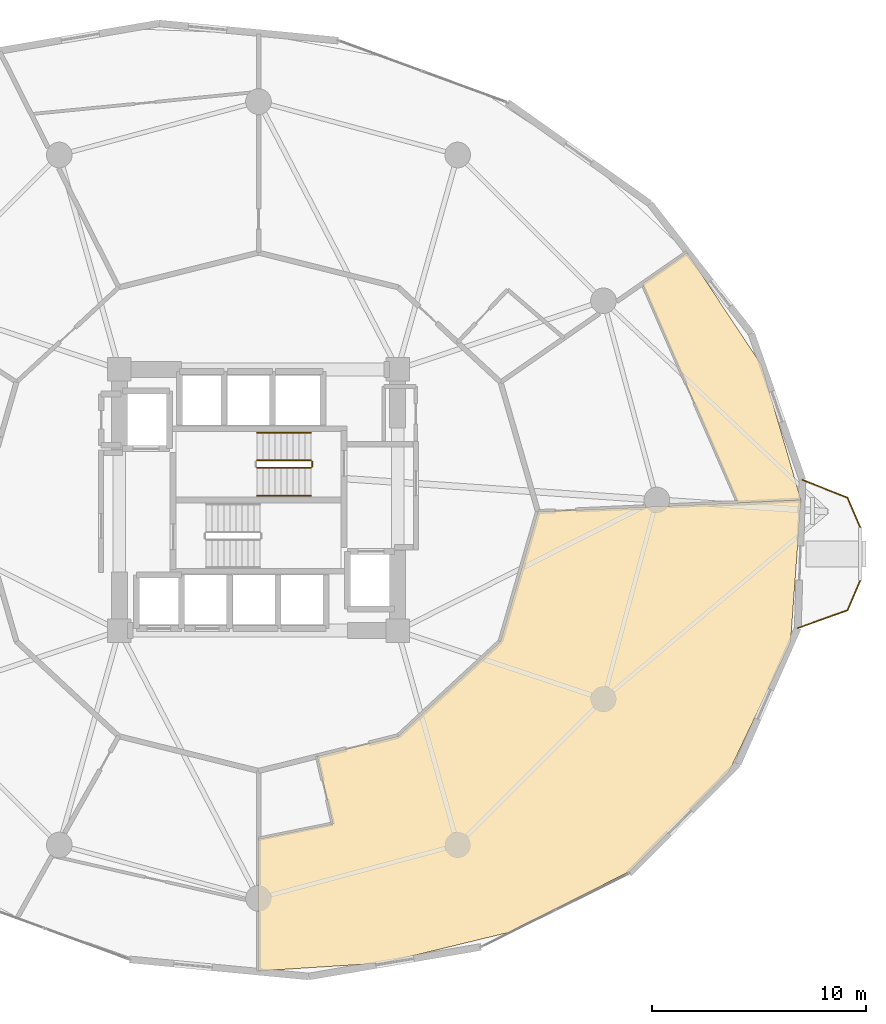
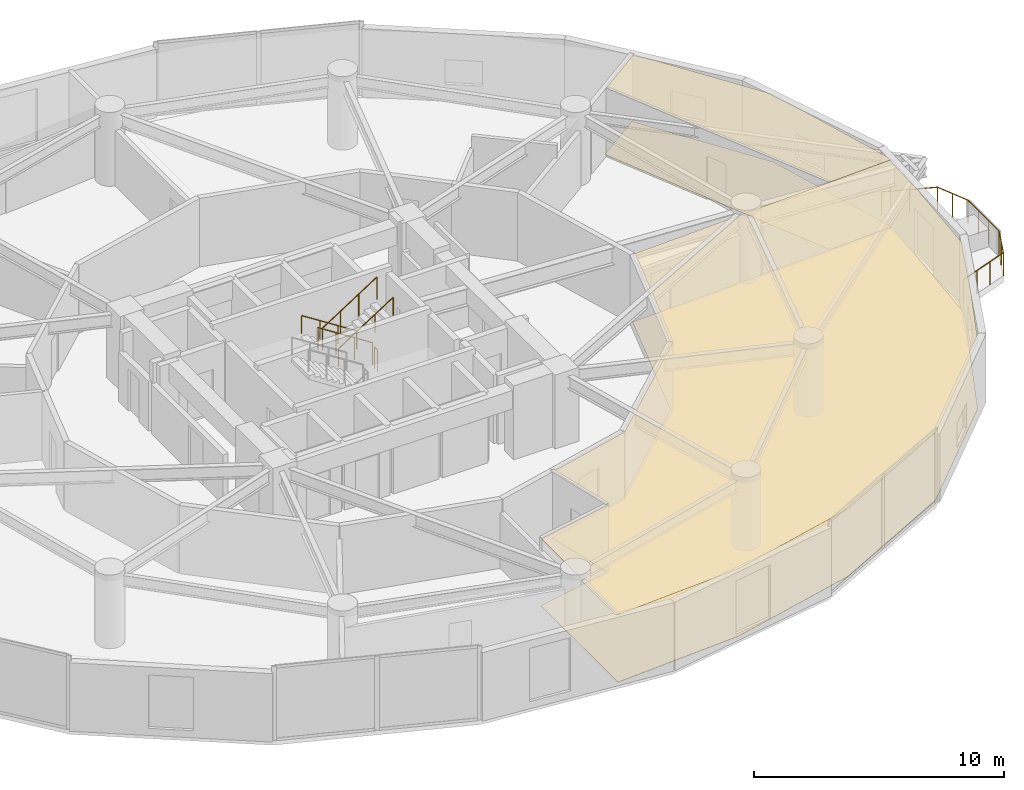
# One storey, part 21 of 22: 6 railings, 4 coverings.
"""IFC4 building model written with IfcOpenShell, lengths in metres."""

from ifc_helpers import new_model, si_unit, direction, frame, origin, origin_2d, place, context, subcontext, project, spatial, polyline, circle, outline, extrude, material, layer, layer_set, type_object, element, save


model = new_model("IFC4")

# Units and contexts
model_context = context("Model", 3, precision=1e-05, world=origin(), true_north=direction((0.0, 1.0)))
body_context = subcontext(model_context, "Body", "Model", "MODEL_VIEW")
ifc_project = project(units=[si_unit("LENGTHUNIT", "METRE"), si_unit("AREAUNIT", "SQUARE_METRE"), si_unit("VOLUMEUNIT", "CUBIC_METRE"), si_unit("PLANEANGLEUNIT", "RADIAN"), si_unit("MASSUNIT", "GRAM", prefix="KILO")], contexts=[model_context])

# Site, building, storey
site_placement = place(None, origin())
site = spatial("IfcSite", under=ifc_project, at=site_placement, CompositionType="ELEMENT")
building_placement = place(site_placement, origin())
building = spatial("IfcBuilding", under=site, at=building_placement, Name="Solvirekh Grand Hotel", CompositionType="ELEMENT")
storey_placement = place(building_placement, frame((0.0, 0.0, 53.60009765625)))
storey = spatial("IfcBuildingStorey", under=building, at=storey_placement, Name="L12", CompositionType="ELEMENT", Elevation=53.60009765625)

# Coverings
ifc_material_1 = material(Name="Acoustic Mineral Ceiling Tile")
ifc_layer_1 = layer(ifc_material_1, 0.02490234375)
ifc_layer_set_1 = layer_set([ifc_layer_1], Name="Acoustic Mineral Ceiling Tile")
covering_type_1 = type_object("IfcCoveringType", Name="Cov_Ceiling_Acoustic", PredefinedType="CEILING", material=ifc_layer_set_1)
covering_1_placement = place(storey_placement, frame((0.0, 0.0, 3.289794921875)))
element("IfcCovering", 1, at=covering_1_placement, inside=storey, type_object=covering_type_1, Name="L12 Presidential Suite 1402 Living Room acoustic ceiling", PredefinedType="CEILING", context=body_context, shape_type="SweptSolid", body=[
    extrude(outline(polyline([(3.472900390625, -15.118896484375), (0.0, -15.824951171875), (0.0, -21.988037109375), (5.79296875, -21.6201171875), (11.658935546875, -20.195068359375), (17.339111328125, -17.339111328125), (21.967041015625, -12.68310546875), (24.839111328125, -6.656005859375), (25.326904296875, 0.0), (13.050048828125, -0.550048828125), (11.302001953125, -6.60009765625), (6.52490234375, -11.029052734375), (2.739990234375, -11.968994140625), (3.472900390625, -15.118896484375)])), origin(), (0.0, 0.0, 1.0), 0.01806640625),
])
covering_2_placement = place(storey_placement, frame((0.0, 0.0, 3.289794921875)))
element("IfcCovering", 2, at=covering_2_placement, inside=storey, type_object=covering_type_1, Name="L12 Presidential Suite 1402 Master Bedroom acoustic ceiling", PredefinedType="CEILING", context=body_context, shape_type="SweptSolid", body=[
    extrude(outline(polyline([(25.326904296875, 0.0), (23.489013671875, 6.2939453125), (20.008056640625, 11.552001953125), (17.9189453125, 10.10009765625), (22.381103515625, -0.132080078125), (25.326904296875, 0.0)])), origin(), (0.0, 0.0, 1.0), 0.01806640625),
])
ifc_material_2 = material(Name="Porcelain Stoneware Flooring", Category="masonry")
ifc_layer_2 = layer(ifc_material_2, 0.030029296875)
ifc_layer_set_2 = layer_set([ifc_layer_2], Name="Porcelain Stoneware Flooring")
covering_type_2 = type_object("IfcCoveringType", Name="Cov_Floor_Stone", PredefinedType="FLOORING", material=ifc_layer_set_2)
covering_3_placement = place(storey_placement, origin())
element("IfcCovering", 3, at=covering_3_placement, inside=storey, type_object=covering_type_2, Name="L12 Presidential Suite 1402 Living Room polished granite flooring", PredefinedType="FLOORING", context=body_context, shape_type="SweptSolid", body=[
    extrude(outline(polyline([(3.472900390625, -15.118896484375), (0.0, -15.824951171875), (0.0, -21.988037109375), (5.79296875, -21.6201171875), (11.658935546875, -20.195068359375), (17.339111328125, -17.339111328125), (21.967041015625, -12.68310546875), (24.839111328125, -6.656005859375), (25.326904296875, 0.0), (13.050048828125, -0.550048828125), (11.302001953125, -6.60009765625), (6.52490234375, -11.029052734375), (2.739990234375, -11.968994140625), (3.472900390625, -15.118896484375)])), origin(), (0.0, 0.0, 1.0), 0.02001953125),
])
covering_4_placement = place(storey_placement, origin())
element("IfcCovering", 4, at=covering_4_placement, inside=storey, type_object=covering_type_2, Name="L12 Presidential Suite 1402 Master Bedroom polished granite flooring", PredefinedType="FLOORING", context=body_context, shape_type="SweptSolid", body=[
    extrude(outline(polyline([(25.326904296875, 0.0), (23.489013671875, 6.2939453125), (20.008056640625, 11.552001953125), (17.9189453125, 10.10009765625), (22.381103515625, -0.132080078125), (25.326904296875, 0.0)])), origin(), (0.0, 0.0, 1.0), 0.02001953125),
])

# Railings
ifc_material_3 = material(Name="Anodized Bronze Aluminium 6063-T6", Category="aluminium")
railing_type_1 = type_object("IfcRailingType", Name="Guard_ExtGlass_1150", PredefinedType="BALUSTRADE", material=ifc_material_3)
railing_1_placement = place(storey_placement, frame((25.178955078125, -5.98193359375, 0.0)))
element("IfcRailing", 5, at=railing_1_placement, inside=storey, type_object=railing_type_1, Name="L12 horn perimeter glass balustrade", PredefinedType="BALUSTRADE", context=body_context, shape_type="SweptSolid", body=[
    extrude(circle(Radius=0.02392578125, at=origin_2d()), frame((0.0, 0.0, 1.1259765625), z_axis=(0.941335244579, 0.337472898636, 0.0), x_axis=(-0.337472898636, 0.941335244579, 0.0)), (0.0, 0.0, 1.0), 2.462646484375),
    extrude(circle(Radius=0.02392578125, at=origin_2d()), frame((2.318115234375, 0.8310546875, 1.1259765625), z_axis=(0.397725546668, 0.917504435699, 0.0), x_axis=(-0.917504435699, 0.397725546668, 0.0)), (0.0, 0.0, 1.0), 1.50830078125),
    extrude(circle(Radius=0.02392578125, at=origin_2d()), frame((2.91796875, 2.21484375, 1.1259765625), z_axis=(0.0, 1.0, 0.0), x_axis=(-1.0, 0.0, 0.0)), (0.0, 0.0, 1.0), 2.4921875),
    extrude(circle(Radius=0.02392578125, at=origin_2d()), frame((2.91796875, 4.70703125, 1.1259765625), z_axis=(-0.397725546668, 0.917504435699, 0.0), x_axis=(-0.917504435699, -0.397725546668, 0.0)), (0.0, 0.0, 1.0), 1.50830078125),
    extrude(circle(Radius=0.02392578125, at=origin_2d()), frame((2.318115234375, 6.0908203125, 1.1259765625), z_axis=(-0.929842059389, 0.367958889812, 0.0), x_axis=(-0.367958889812, -0.929842059389, 0.0)), (0.0, 0.0, 1.0), 2.258544921875),
    extrude(circle(Radius=0.02099609375, at=origin_2d()), origin(), (0.0, 0.0, 1.0), 1.101806640625),
    extrude(circle(Radius=0.02099609375, at=origin_2d()), frame((0.772705078125, 0.277099609375, 0.0)), (0.0, 0.0, 1.0), 1.101806640625),
    extrude(circle(Radius=0.02099609375, at=origin_2d()), frame((1.54541015625, 0.553955078125, 0.0)), (0.0, 0.0, 1.0), 1.101806640625),
    extrude(circle(Radius=0.02099609375, at=origin_2d()), frame((2.318115234375, 0.8310546875, 0.0)), (0.0, 0.0, 1.0), 1.101806640625),
    extrude(circle(Radius=0.02099609375, at=origin_2d()), frame((2.6181640625, 1.52294921875, 0.0)), (0.0, 0.0, 1.0), 1.101806640625),
    extrude(circle(Radius=0.02099609375, at=origin_2d()), frame((2.91796875, 2.21484375, 0.0)), (0.0, 0.0, 1.0), 1.101806640625),
    extrude(circle(Radius=0.02099609375, at=origin_2d()), frame((2.91796875, 3.045654296875, 0.0)), (0.0, 0.0, 1.0), 1.101806640625),
    extrude(circle(Radius=0.02099609375, at=origin_2d()), frame((2.91796875, 3.876220703125, 0.0)), (0.0, 0.0, 1.0), 1.101806640625),
    extrude(circle(Radius=0.02099609375, at=origin_2d()), frame((2.91796875, 4.70703125, 0.0)), (0.0, 0.0, 1.0), 1.101806640625),
    extrude(circle(Radius=0.02099609375, at=origin_2d()), frame((2.6181640625, 5.39892578125, 0.0)), (0.0, 0.0, 1.0), 1.101806640625),
    extrude(circle(Radius=0.02099609375, at=origin_2d()), frame((2.318115234375, 6.0908203125, 0.0)), (0.0, 0.0, 1.0), 1.101806640625),
    extrude(circle(Radius=0.02099609375, at=origin_2d()), frame((1.26806640625, 6.50634765625, 0.0)), (0.0, 0.0, 1.0), 1.101806640625),
    extrude(circle(Radius=0.02099609375, at=origin_2d()), frame((0.218017578125, 6.921875, 0.0)), (0.0, 0.0, 1.0), 1.101806640625),
])
ifc_material_4 = material(Name="Steel S355", Category="steel")
railing_type_2 = type_object("IfcRailingType", Name="Guard_Stair_1100", PredefinedType="GUARDRAIL", material=ifc_material_4)
railing_2_placement = place(storey_placement, frame((2.449951171875, 1.85009765625, 0.179931640625)))
element("IfcRailing", 6, at=railing_2_placement, inside=storey, type_object=railing_type_2, Name="L12 ST-2 stair guard 1", PredefinedType="GUARDRAIL", context=body_context, shape_type="SweptSolid", body=[
    extrude(circle(Radius=0.02392578125, at=origin_2d()), frame((0.0, 0.0, 1.076171875), z_axis=(-0.841199657755, 0.0, 0.540724639528), x_axis=(0.0, -1.0, 0.0)), (0.0, 0.0, 1.0), 2.995849609375),
    extrude(circle(Radius=0.02099609375, at=origin_2d()), origin(), (0.0, 0.0, 1.0), 1.052001953125),
    extrude(circle(Radius=0.02099609375, at=origin_2d()), frame((-0.840087890625, 0.0, 0.5400390625)), (0.0, 0.0, 1.0), 1.052001953125),
    extrude(circle(Radius=0.02099609375, at=origin_2d()), frame((-1.679931640625, 0.0, 1.079833984375)), (0.0, 0.0, 1.0), 1.052001953125),
    extrude(circle(Radius=0.02099609375, at=origin_2d()), frame((-2.52001953125, 0.0, 1.619873046875)), (0.0, 0.0, 1.0), 1.052001953125),
])
railing_3_placement = place(storey_placement, frame((-0.070068359375, 1.5, 1.97998046875)))
element("IfcRailing", 7, at=railing_3_placement, inside=storey, type_object=railing_type_2, Name="L12 ST-2 stair guard 3", PredefinedType="GUARDRAIL", context=body_context, shape_type="SweptSolid", body=[
    extrude(circle(Radius=0.02392578125, at=origin_2d()), frame((0.0, 0.0, 1.076171875), z_axis=(0.841199657755, 0.0, 0.540724639528), x_axis=(0.0, 1.0, 0.0)), (0.0, 0.0, 1.0), 2.995849609375),
    extrude(circle(Radius=0.02099609375, at=origin_2d()), origin(), (0.0, 0.0, 1.0), 1.052001953125),
    extrude(circle(Radius=0.02099609375, at=origin_2d()), frame((0.840087890625, 0.0, 0.5400390625)), (0.0, 0.0, 1.0), 1.052001953125),
    extrude(circle(Radius=0.02099609375, at=origin_2d()), frame((1.679931640625, 0.0, 1.079833984375)), (0.0, 0.0, 1.0), 1.052001953125),
    extrude(circle(Radius=0.02099609375, at=origin_2d()), frame((2.52001953125, 0.0, 1.619873046875)), (0.0, 0.0, 1.0), 1.052001953125),
])
railing_4_placement = place(storey_placement, frame((2.5, 1.800048828125, 0.0)))
element("IfcRailing", 8, at=railing_4_placement, inside=storey, type_object=railing_type_2, Name="L12 ST-2 stair guard 4", PredefinedType="GUARDRAIL", context=body_context, shape_type="SweptSolid", body=[
    extrude(circle(Radius=0.02392578125, at=origin_2d()), frame((0.0, 0.0, 1.076171875), z_axis=(0.0, -1.0, 0.0), x_axis=(1.0, 0.0, 0.0)), (0.0, 0.0, 1.0), 0.25),
    extrude(circle(Radius=0.02099609375, at=origin_2d()), origin(), (0.0, 0.0, 1.0), 1.052001953125),
    extrude(circle(Radius=0.02099609375, at=origin_2d()), frame((0.0, -0.25, 0.0)), (0.0, 0.0, 1.0), 1.052001953125),
])
railing_type_3 = type_object("IfcRailingType", Name="Handrail_Wall_900", PredefinedType="HANDRAIL", material=ifc_material_3)
railing_5_placement = place(storey_placement, frame((2.449951171875, 3.14990234375, 0.179931640625)))
element("IfcRailing", 9, at=railing_5_placement, inside=storey, type_object=railing_type_3, Name="L12 ST-2 stair handrail 1", PredefinedType="HANDRAIL", context=body_context, shape_type="SweptSolid", body=[
    extrude(circle(Radius=0.02392578125, at=origin_2d()), frame((0.0, 0.0, 0.8759765625), z_axis=(-0.841199657755, 0.0, 0.540724639528), x_axis=(0.0, -1.0, 0.0)), (0.0, 0.0, 1.0), 2.995849609375),
    extrude(circle(Radius=0.02099609375, at=origin_2d()), origin(), (0.0, 0.0, 1.0), 0.851806640625),
    extrude(circle(Radius=0.02099609375, at=origin_2d()), frame((-0.840087890625, 0.0, 0.5400390625)), (0.0, 0.0, 1.0), 0.851806640625),
    extrude(circle(Radius=0.02099609375, at=origin_2d()), frame((-1.679931640625, 0.0, 1.079833984375)), (0.0, 0.0, 1.0), 0.851806640625),
    extrude(circle(Radius=0.02099609375, at=origin_2d()), frame((-2.52001953125, 0.0, 1.619873046875)), (0.0, 0.0, 1.0), 0.851806640625),
])
railing_6_placement = place(storey_placement, frame((-0.070068359375, 0.199951171875, 1.97998046875)))
element("IfcRailing", 10, at=railing_6_placement, inside=storey, type_object=railing_type_3, Name="L12 ST-2 stair handrail 2", PredefinedType="HANDRAIL", context=body_context, shape_type="SweptSolid", body=[
    extrude(circle(Radius=0.02392578125, at=origin_2d()), frame((0.0, 0.0, 0.8759765625), z_axis=(0.841199657755, 0.0, 0.540724639528), x_axis=(0.0, 1.0, 0.0)), (0.0, 0.0, 1.0), 2.995849609375),
    extrude(circle(Radius=0.02099609375, at=origin_2d()), origin(), (0.0, 0.0, 1.0), 0.851806640625),
    extrude(circle(Radius=0.02099609375, at=origin_2d()), frame((0.840087890625, 0.0, 0.5400390625)), (0.0, 0.0, 1.0), 0.851806640625),
    extrude(circle(Radius=0.02099609375, at=origin_2d()), frame((1.679931640625, 0.0, 1.079833984375)), (0.0, 0.0, 1.0), 0.851806640625),
    extrude(circle(Radius=0.02099609375, at=origin_2d()), frame((2.52001953125, 0.0, 1.619873046875)), (0.0, 0.0, 1.0), 0.851806640625),
])

save(model, "model.ifc")
